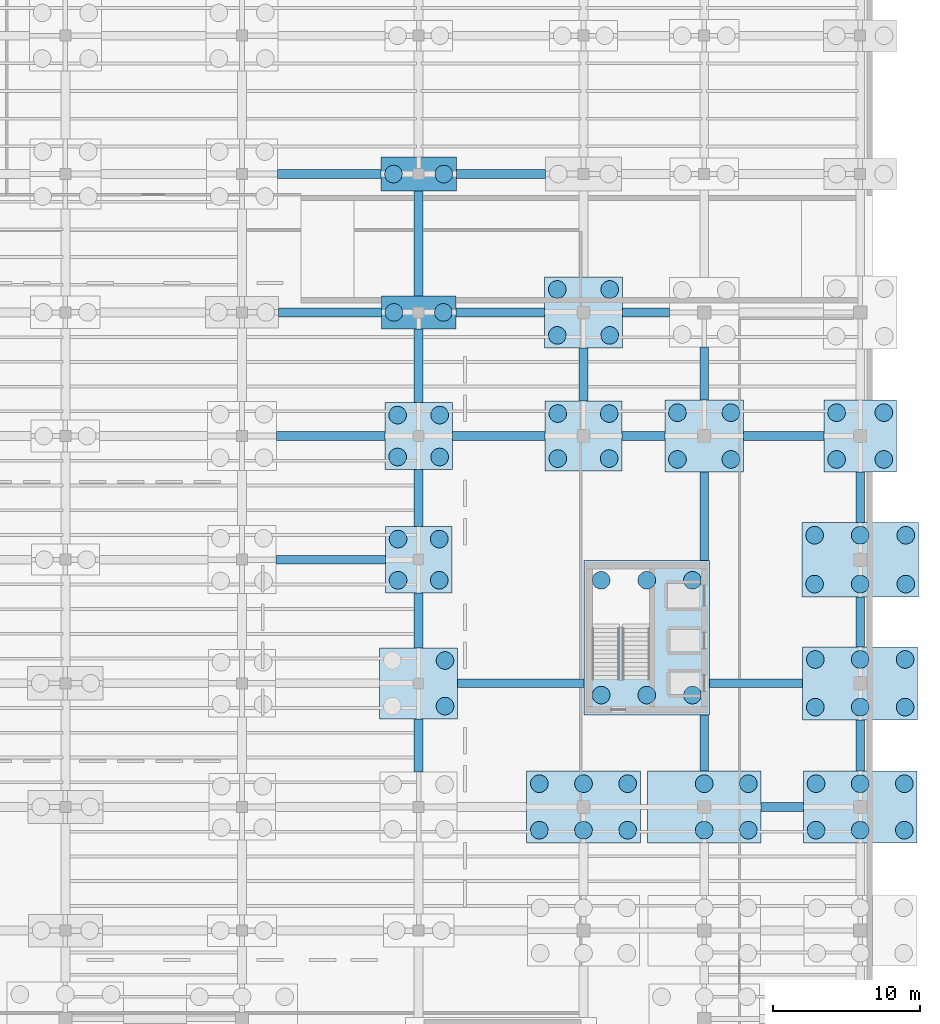
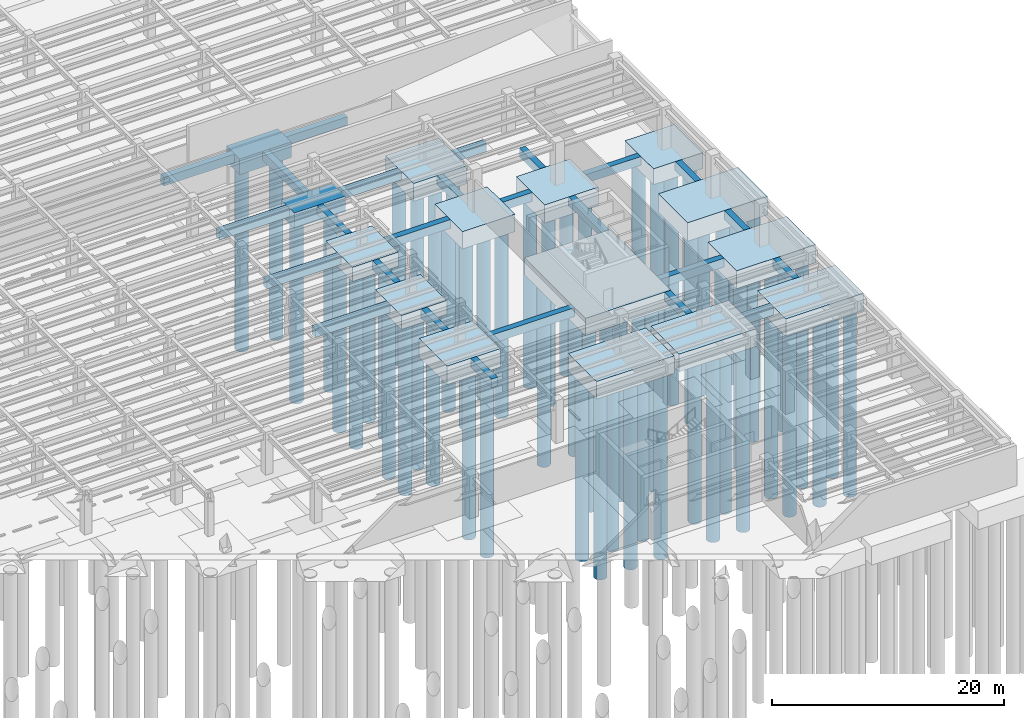
# One storey, part 15 of 49: 64 piles, 40 footings.
"""IFC4 building model written with IfcOpenShell, lengths in metres."""

from ifc_helpers import new_model, si_unit, direction, frame, origin, origin_2d, place, context, subcontext, project, spatial, rectangle, circle, extrude, material, material_profile, profile_set, type_object, element, save


model = new_model("IFC4")

# Units and contexts
model_context = context("Model", 3, precision=1e-05, world=origin(), true_north=direction((0.0, 1.0)))
body_context = subcontext(model_context, "Body", "Model", "MODEL_VIEW")
ifc_project = project(units=[si_unit("LENGTHUNIT", "METRE"), si_unit("AREAUNIT", "SQUARE_METRE"), si_unit("VOLUMEUNIT", "CUBIC_METRE"), si_unit("PLANEANGLEUNIT", "RADIAN"), si_unit("MASSUNIT", "GRAM", prefix="KILO")], contexts=[model_context])

# Site, building, storey
site_placement = place(None, origin())
site = spatial("IfcSite", under=ifc_project, at=site_placement, CompositionType="ELEMENT")
building_placement = place(site_placement, origin())
building = spatial("IfcBuilding", under=site, at=building_placement, Name="Sollismere Congress Hotel", CompositionType="ELEMENT")
storey_placement = place(building_placement, frame((0.0, 0.0, -4.5)))
storey = spatial("IfcBuildingStorey", under=building, at=storey_placement, Name="B1", CompositionType="ELEMENT", Elevation=-4.5)

# Footings
ifc_material = material(Name="Concrete C40/50", Category="concrete")
footing_type_1 = type_object("IfcFootingType", Name="FT-GB600", PredefinedType="FOOTING_BEAM", material=ifc_material)
footing_1_placement = place(storey_placement, frame((160.699951171875, 33.199951171875, -0.89990234375), z_axis=(0.0, 0.0, 1.0), x_axis=(1.0, 0.0, 0.0)))
element("IfcFooting", 1, at=footing_1_placement, inside=storey, type_object=footing_type_1, Name="FTG-GB-065", PredefinedType="FOOTING_BEAM", context=body_context, shape_type="SweptSolid", body=[
    extrude(rectangle(XDim=2.8798828125, YDim=0.60009765625, at=origin_2d()), origin(), (0.0, 0.0, 1.0), 0.89990234375),
])
footing_2_placement = place(storey_placement, frame((142.949951171875, 41.60009765625, -0.89990234375), z_axis=(0.0, 0.0, 1.0), x_axis=(1.0, 0.0, 0.0)))
element("IfcFooting", 2, at=footing_2_placement, inside=storey, type_object=footing_type_1, Name="FTG-GB-081", PredefinedType="FOOTING_BEAM", context=body_context, shape_type="SweptSolid", body=[
    extrude(rectangle(XDim=8.60009765625, YDim=0.60009765625, at=origin_2d()), origin(), (0.0, 0.0, 1.0), 0.89990234375),
])
footing_3_placement = place(storey_placement, frame((158.919921875, 41.60009765625, -0.89990234375), z_axis=(0.0, 0.0, 1.0), x_axis=(1.0, 0.0, 0.0)))
element("IfcFooting", 3, at=footing_3_placement, inside=storey, type_object=footing_type_1, Name="FTG-GB-082", PredefinedType="FOOTING_BEAM", context=body_context, shape_type="SweptSolid", body=[
    extrude(rectangle(XDim=6.340087890625, YDim=0.60009765625, at=origin_2d()), origin(), (0.0, 0.0, 1.0), 0.89990234375),
])
footing_4_placement = place(storey_placement, frame((130.030029296875, 50.0, -0.89990234375), z_axis=(0.0, 0.0, 1.0), x_axis=(1.0, 0.0, 0.0)))
element("IfcFooting", 4, at=footing_4_placement, inside=storey, type_object=footing_type_1, Name="FTG-GB-097", PredefinedType="FOOTING_BEAM", context=body_context, shape_type="SweptSolid", body=[
    extrude(rectangle(XDim=7.419921875, YDim=0.60009765625, at=origin_2d()), origin(), (0.0, 0.0, 1.0), 0.89990234375),
])
footing_5_placement = place(storey_placement, frame((130.030029296875, 58.39990234375, -0.89990234375), z_axis=(0.0, 0.0, 1.0), x_axis=(1.0, 0.0, 0.0)))
element("IfcFooting", 5, at=footing_5_placement, inside=storey, type_object=footing_type_1, Name="FTG-GB-111", PredefinedType="FOOTING_BEAM", context=body_context, shape_type="SweptSolid", body=[
    extrude(rectangle(XDim=7.360107421875, YDim=0.60009765625, at=origin_2d()), origin(), (0.0, 0.0, 1.0), 0.89990234375),
])
footing_6_placement = place(storey_placement, frame((141.4423828125, 58.39990234375, -0.89990234375), z_axis=(0.0, 0.0, 1.0), x_axis=(1.0, 0.0, 0.0)))
element("IfcFooting", 6, at=footing_6_placement, inside=storey, type_object=footing_type_1, Name="FTG-GB-112", PredefinedType="FOOTING_BEAM", context=body_context, shape_type="SweptSolid", body=[
    extrude(rectangle(XDim=6.304931640625, YDim=0.60009765625, at=origin_2d()), origin(), (0.0, 0.0, 1.0), 0.89990234375),
])
footing_7_placement = place(storey_placement, frame((151.264892578125, 58.39990234375, -0.89990234375), z_axis=(0.0, 0.0, 1.0), x_axis=(1.0, 0.0, 0.0)))
element("IfcFooting", 7, at=footing_7_placement, inside=storey, type_object=footing_type_1, Name="FTG-GB-113", PredefinedType="FOOTING_BEAM", context=body_context, shape_type="SweptSolid", body=[
    extrude(rectangle(XDim=2.919921875, YDim=0.60009765625, at=origin_2d()), origin(), (0.0, 0.0, 1.0), 0.89990234375),
])
footing_8_placement = place(storey_placement, frame((160.804931640625, 58.39990234375, -0.89990234375), z_axis=(0.0, 0.0, 1.0), x_axis=(1.0, 0.0, 0.0)))
element("IfcFooting", 8, at=footing_8_placement, inside=storey, type_object=footing_type_1, Name="FTG-GB-114", PredefinedType="FOOTING_BEAM", context=body_context, shape_type="SweptSolid", body=[
    extrude(rectangle(XDim=5.4599609375, YDim=0.60009765625, at=origin_2d()), origin(), (0.0, 0.0, 1.0), 0.89990234375),
])
footing_9_placement = place(storey_placement, frame((129.969970703125, 66.800048828125, -0.89990234375), z_axis=(0.0, 0.0, 1.0), x_axis=(1.0, 0.0, 0.0)))
element("IfcFooting", 9, at=footing_9_placement, inside=storey, type_object=footing_type_1, Name="FTG-GB-127", PredefinedType="FOOTING_BEAM", context=body_context, shape_type="SweptSolid", body=[
    extrude(rectangle(XDim=6.97998046875, YDim=0.60009765625, at=origin_2d()), origin(), (0.0, 0.0, 1.0), 0.89990234375),
])
footing_10_placement = place(storey_placement, frame((141.550048828125, 66.800048828125, -0.89990234375), z_axis=(0.0, 0.0, 1.0), x_axis=(1.0, 0.0, 0.0)))
element("IfcFooting", 10, at=footing_10_placement, inside=storey, type_object=footing_type_1, Name="FTG-GB-128", PredefinedType="FOOTING_BEAM", context=body_context, shape_type="SweptSolid", body=[
    extrude(rectangle(XDim=6.02001953125, YDim=0.60009765625, at=origin_2d()), origin(), (0.0, 0.0, 1.0), 0.89990234375),
])
footing_11_placement = place(storey_placement, frame((151.43994140625, 66.800048828125, -0.89990234375), z_axis=(0.0, 0.0, 1.0), x_axis=(1.0, 0.0, 0.0)))
element("IfcFooting", 11, at=footing_11_placement, inside=storey, type_object=footing_type_1, Name="FTG-GB-129", PredefinedType="FOOTING_BEAM", context=body_context, shape_type="SweptSolid", body=[
    extrude(rectangle(XDim=3.199951171875, YDim=0.60009765625, at=origin_2d()), origin(), (0.0, 0.0, 1.0), 0.89990234375),
])
footing_12_placement = place(storey_placement, frame((129.919921875, 76.199951171875, -0.89990234375), z_axis=(0.0, 0.0, 1.0), x_axis=(1.0, 0.0, 0.0)))
element("IfcFooting", 12, at=footing_12_placement, inside=storey, type_object=footing_type_1, Name="FTG-GB-144", PredefinedType="FOOTING_BEAM", context=body_context, shape_type="SweptSolid", body=[
    extrude(rectangle(XDim=7.02001953125, YDim=0.60009765625, at=origin_2d()), origin(), (0.0, 0.0, 1.0), 0.89990234375),
])
footing_13_placement = place(storey_placement, frame((141.60009765625, 76.199951171875, -0.89990234375), z_axis=(0.0, 0.0, 1.0), x_axis=(1.0, 0.0, 0.0)))
element("IfcFooting", 13, at=footing_13_placement, inside=storey, type_object=footing_type_1, Name="FTG-GB-145", PredefinedType="FOOTING_BEAM", context=body_context, shape_type="SweptSolid", body=[
    extrude(rectangle(XDim=6.06005859375, YDim=0.60009765625, at=origin_2d()), origin(), (0.0, 0.0, 1.0), 0.89990234375),
])
footing_14_placement = place(storey_placement, frame((136.0, 37.387451171875, -0.89990234375), z_axis=(0.0, 0.0, 1.0), x_axis=(0.0, 1.0, 0.0)))
element("IfcFooting", 14, at=footing_14_placement, inside=storey, type_object=footing_type_1, Name="FTG-GB-399", PredefinedType="FOOTING_BEAM", context=body_context, shape_type="SweptSolid", body=[
    extrude(rectangle(XDim=3.60498046875, YDim=0.60009765625, at=origin_2d()), origin(), (0.0, 0.0, 1.0), 0.89990234375),
])
footing_15_placement = place(storey_placement, frame((136.0, 45.875, -0.89990234375), z_axis=(0.0, 0.0, 1.0), x_axis=(0.0, 1.0, 0.0)))
element("IfcFooting", 15, at=footing_15_placement, inside=storey, type_object=footing_type_1, Name="FTG-GB-400", PredefinedType="FOOTING_BEAM", context=body_context, shape_type="SweptSolid", body=[
    extrude(rectangle(XDim=3.72998046875, YDim=0.60009765625, at=origin_2d()), origin(), (0.0, 0.0, 1.0), 0.89990234375),
])
footing_16_placement = place(storey_placement, frame((136.0, 54.1875, -0.89990234375), z_axis=(0.0, 0.0, 1.0), x_axis=(0.0, 1.0, 0.0)))
element("IfcFooting", 16, at=footing_16_placement, inside=storey, type_object=footing_type_1, Name="FTG-GB-401", PredefinedType="FOOTING_BEAM", context=body_context, shape_type="SweptSolid", body=[
    extrude(rectangle(XDim=3.85498046875, YDim=0.60009765625, at=origin_2d()), origin(), (0.0, 0.0, 1.0), 0.89990234375),
])
footing_17_placement = place(storey_placement, frame((136.0, 63.179931640625, -0.89990234375), z_axis=(0.0, 0.0, 1.0), x_axis=(0.0, 1.0, 0.0)))
element("IfcFooting", 17, at=footing_17_placement, inside=storey, type_object=footing_type_1, Name="FTG-GB-402", PredefinedType="FOOTING_BEAM", context=body_context, shape_type="SweptSolid", body=[
    extrude(rectangle(XDim=4.989990234375, YDim=0.60009765625, at=origin_2d()), origin(), (0.0, 0.0, 1.0), 0.89990234375),
])
footing_18_placement = place(storey_placement, frame((136.0, 71.487548828125, -0.89990234375), z_axis=(0.0, 0.0, 1.0), x_axis=(0.0, 1.0, 0.0)))
element("IfcFooting", 18, at=footing_18_placement, inside=storey, type_object=footing_type_1, Name="FTG-GB-403", PredefinedType="FOOTING_BEAM", context=body_context, shape_type="SweptSolid", body=[
    extrude(rectangle(XDim=7.125, YDim=0.60009765625, at=origin_2d()), origin(), (0.0, 0.0, 1.0), 0.89990234375),
])
footing_19_placement = place(storey_placement, frame((147.199951171875, 62.5849609375, -0.89990234375), z_axis=(0.0, 0.0, 1.0), x_axis=(0.0, 1.0, 0.0)))
element("IfcFooting", 19, at=footing_19_placement, inside=storey, type_object=footing_type_1, Name="FTG-GB-411", PredefinedType="FOOTING_BEAM", context=body_context, shape_type="SweptSolid", body=[
    extrude(rectangle(XDim=3.590087890625, YDim=0.60009765625, at=origin_2d()), origin(), (0.0, 0.0, 1.0), 0.89990234375),
])
footing_20_placement = place(storey_placement, frame((155.39990234375, 37.544921875, -0.89990234375), z_axis=(0.0, 0.0, 1.0), x_axis=(0.0, 1.0, 0.0)))
element("IfcFooting", 20, at=footing_20_placement, inside=storey, type_object=footing_type_1, Name="FTG-GB-421", PredefinedType="FOOTING_BEAM", context=body_context, shape_type="SweptSolid", body=[
    extrude(rectangle(XDim=3.81005859375, YDim=0.60009765625, at=origin_2d()), origin(), (0.0, 0.0, 1.0), 0.89990234375),
])
footing_21_placement = place(storey_placement, frame((155.39990234375, 52.949951171875, -0.89990234375), z_axis=(0.0, 0.0, 1.0), x_axis=(0.0, 1.0, 0.0)))
element("IfcFooting", 21, at=footing_21_placement, inside=storey, type_object=footing_type_1, Name="FTG-GB-422", PredefinedType="FOOTING_BEAM", context=body_context, shape_type="SweptSolid", body=[
    extrude(rectangle(XDim=6.0, YDim=0.60009765625, at=origin_2d()), origin(), (0.0, 0.0, 1.0), 0.89990234375),
])
footing_22_placement = place(storey_placement, frame((155.39990234375, 62.64501953125, -0.89990234375), z_axis=(0.0, 0.0, 1.0), x_axis=(0.0, 1.0, 0.0)))
element("IfcFooting", 22, at=footing_22_placement, inside=storey, type_object=footing_type_1, Name="FTG-GB-423", PredefinedType="FOOTING_BEAM", context=body_context, shape_type="SweptSolid", body=[
    extrude(rectangle(XDim=3.590087890625, YDim=0.60009765625, at=origin_2d()), origin(), (0.0, 0.0, 1.0), 0.89990234375),
])
footing_23_placement = place(storey_placement, frame((166.0, 37.3798828125, -0.89990234375), z_axis=(0.0, 0.0, 1.0), x_axis=(0.0, 1.0, 0.0)))
element("IfcFooting", 23, at=footing_23_placement, inside=storey, type_object=footing_type_1, Name="FTG-GB-433", PredefinedType="FOOTING_BEAM", context=body_context, shape_type="SweptSolid", body=[
    extrude(rectangle(XDim=3.47998046875, YDim=0.60009765625, at=origin_2d()), origin(), (0.0, 0.0, 1.0), 0.89990234375),
])
footing_24_placement = place(storey_placement, frame((166.0, 45.780029296875, -0.89990234375), z_axis=(0.0, 0.0, 1.0), x_axis=(0.0, 1.0, 0.0)))
element("IfcFooting", 24, at=footing_24_placement, inside=storey, type_object=footing_type_1, Name="FTG-GB-434", PredefinedType="FOOTING_BEAM", context=body_context, shape_type="SweptSolid", body=[
    extrude(rectangle(XDim=3.39990234375, YDim=0.60009765625, at=origin_2d()), origin(), (0.0, 0.0, 1.0), 0.89990234375),
])
footing_25_placement = place(storey_placement, frame((166.0, 54.235107421875, -0.89990234375), z_axis=(0.0, 0.0, 1.0), x_axis=(0.0, 1.0, 0.0)))
element("IfcFooting", 25, at=footing_25_placement, inside=storey, type_object=footing_type_1, Name="FTG-GB-435", PredefinedType="FOOTING_BEAM", context=body_context, shape_type="SweptSolid", body=[
    extrude(rectangle(XDim=3.429931640625, YDim=0.60009765625, at=origin_2d()), origin(), (0.0, 0.0, 1.0), 0.89990234375),
])
footing_type_2 = type_object("IfcFootingType", Name="FT-MAT-K3", PredefinedType="PILE_CAP", material=ifc_material)
footing_26_placement = place(storey_placement, frame((151.5, 44.699951171875, -1.7998046875), z_axis=(0.0, 0.0, 1.0), x_axis=(1.0, 0.0, 0.0)))
element("IfcFooting", 26, at=footing_26_placement, inside=storey, type_object=footing_type_2, Name="Core pile cap mat PCM-K3", PredefinedType="PILE_CAP", context=body_context, shape_type="SweptSolid", body=[
    extrude(rectangle(XDim=8.5, YDim=10.5, at=origin_2d()), origin(), (0.0, 0.0, 1.0), 1.800048828125),
])
footing_type_3 = type_object("IfcFootingType", Name="FT-PC2-09", PredefinedType="PILE_CAP", material=ifc_material)
footing_27_placement = place(storey_placement, frame((136.0, 66.800048828125, -1.6201171875), z_axis=(0.0, 0.0, 1.0), x_axis=(1.0, 0.0, 0.0)))
element("IfcFooting", 27, at=footing_27_placement, inside=storey, type_object=footing_type_3, Name="Reinforced concrete pile cap PC-199", PredefinedType="PILE_CAP", context=body_context, shape_type="SweptSolid", body=[
    extrude(rectangle(XDim=5.080078125, YDim=2.25, at=origin_2d()), origin(), (0.0, 0.0, 1.0), 1.6201171875),
])
footing_type_4 = type_object("IfcFootingType", Name="FT-PC2-10", PredefinedType="PILE_CAP", material=ifc_material)
footing_28_placement = place(storey_placement, frame((136.0, 76.199951171875, -1.66015625), z_axis=(0.0, 0.0, 1.0), x_axis=(1.0, 0.0, 0.0)))
element("IfcFooting", 28, at=footing_28_placement, inside=storey, type_object=footing_type_4, Name="Reinforced concrete pile cap PC-200", PredefinedType="PILE_CAP", context=body_context, shape_type="SweptSolid", body=[
    extrude(rectangle(XDim=5.139892578125, YDim=2.300048828125, at=origin_2d()), origin(), (0.0, 0.0, 1.0), 1.659912109375),
])
footing_type_5 = type_object("IfcFootingType", Name="FT-PC4-01", PredefinedType="PILE_CAP", material=ifc_material)
footing_29_placement = place(storey_placement, frame((136.0, 50.0, -1.4501953125), z_axis=(0.0, 0.0, 1.0), x_axis=(1.0, 0.0, 0.0)))
element("IfcFooting", 29, at=footing_29_placement, inside=storey, type_object=footing_type_5, Name="Reinforced concrete pile cap PC-197", PredefinedType="PILE_CAP", context=body_context, shape_type="SweptSolid", body=[
    extrude(rectangle(XDim=4.52001953125, YDim=4.52001953125, at=origin_2d()), origin(), (0.0, 0.0, 1.0), 1.449951171875),
])
footing_type_6 = type_object("IfcFootingType", Name="FT-PC4-02", PredefinedType="PILE_CAP", material=ifc_material)
footing_30_placement = place(storey_placement, frame((136.0, 58.39990234375, -1.490234375), z_axis=(0.0, 0.0, 1.0), x_axis=(1.0, 0.0, 0.0)))
element("IfcFooting", 30, at=footing_30_placement, inside=storey, type_object=footing_type_6, Name="Reinforced concrete pile cap PC-198", PredefinedType="PILE_CAP", context=body_context, shape_type="SweptSolid", body=[
    extrude(rectangle(XDim=4.580078125, YDim=4.570068359375, at=origin_2d()), origin(), (0.0, 0.0, 1.0), 1.489990234375),
])
footing_type_7 = type_object("IfcFootingType", Name="FT-PC4-14", PredefinedType="PILE_CAP", material=ifc_material)
footing_31_placement = place(storey_placement, frame((136.0, 41.60009765625, -1.97021484375), z_axis=(0.0, 0.0, 1.0), x_axis=(1.0, 0.0, 0.0)))
element("IfcFooting", 31, at=footing_31_placement, inside=storey, type_object=footing_type_7, Name="Reinforced concrete pile cap PC-196", PredefinedType="PILE_CAP", context=body_context, shape_type="SweptSolid", body=[
    extrude(rectangle(XDim=5.300048828125, YDim=4.820068359375, at=origin_2d()), origin(), (0.0, 0.0, 1.0), 1.969970703125),
])
footing_type_8 = type_object("IfcFootingType", Name="FT-PC4H-04", PredefinedType="PILE_CAP", material=ifc_material)
footing_32_placement = place(storey_placement, frame((166.0, 58.39990234375, -1.669921875), z_axis=(0.0, 0.0, 1.0), x_axis=(1.0, 0.0, 0.0)))
element("IfcFooting", 32, at=footing_32_placement, inside=storey, type_object=footing_type_8, Name="Reinforced concrete pile cap PC-234", PredefinedType="PILE_CAP", context=body_context, shape_type="SweptSolid", body=[
    extrude(rectangle(XDim=4.929931640625, YDim=4.89990234375, at=origin_2d()), origin(), (0.0, 0.0, 1.0), 1.669921875),
])
footing_type_9 = type_object("IfcFootingType", Name="FT-PC4H-08", PredefinedType="PILE_CAP", material=ifc_material)
footing_33_placement = place(storey_placement, frame((147.199951171875, 58.39990234375, -1.830078125), z_axis=(0.0, 0.0, 1.0), x_axis=(1.0, 0.0, 0.0)))
element("IfcFooting", 33, at=footing_33_placement, inside=storey, type_object=footing_type_9, Name="Reinforced concrete pile cap PC-208", PredefinedType="PILE_CAP", context=body_context, shape_type="SweptSolid", body=[
    extrude(rectangle(XDim=5.2099609375, YDim=4.780029296875, at=origin_2d()), origin(), (0.0, 0.0, 1.0), 1.830078125),
])
footing_type_10 = type_object("IfcFootingType", Name="FT-PC4H-09", PredefinedType="PILE_CAP", material=ifc_material)
footing_34_placement = place(storey_placement, frame((147.199951171875, 66.800048828125, -1.8701171875), z_axis=(0.0, 0.0, 1.0), x_axis=(1.0, 0.0, 0.0)))
element("IfcFooting", 34, at=footing_34_placement, inside=storey, type_object=footing_type_10, Name="Reinforced concrete pile cap PC-209", PredefinedType="PILE_CAP", context=body_context, shape_type="SweptSolid", body=[
    extrude(rectangle(XDim=5.280029296875, YDim=4.840087890625, at=origin_2d()), origin(), (0.0, 0.0, 1.0), 1.8701171875),
])
footing_type_11 = type_object("IfcFootingType", Name="FT-PC4H-10", PredefinedType="PILE_CAP", material=ifc_material)
footing_35_placement = place(storey_placement, frame((155.39990234375, 58.39990234375, -1.91015625), z_axis=(0.0, 0.0, 1.0), x_axis=(1.0, 0.0, 0.0)))
element("IfcFooting", 35, at=footing_35_placement, inside=storey, type_object=footing_type_11, Name="Reinforced concrete pile cap PC-220", PredefinedType="PILE_CAP", context=body_context, shape_type="SweptSolid", body=[
    extrude(rectangle(XDim=5.35009765625, YDim=4.89990234375, at=origin_2d()), origin(), (0.0, 0.0, 1.0), 1.909912109375),
])
footing_type_12 = type_object("IfcFootingType", Name="FT-PC6-03", PredefinedType="PILE_CAP", material=ifc_material)
for number, where, z_axis, x_axis, name in (
    (36, (147.199951171875, 33.199951171875, -1.85009765625), (0.0, 0.0, 1.0), (1.0, 0.0, 0.0), "Reinforced concrete pile cap PC-207"),
    (37, (155.39990234375, 33.199951171875, -1.85009765625), (0.0, 0.0, 1.0), (1.0, 0.0, 0.0), "Reinforced concrete pile cap PC-219"),
    (38, (166.0, 33.199951171875, -1.85009765625), (0.0, 0.0, 1.0), (1.0, 0.0, 0.0), "Reinforced concrete pile cap PC-231"),
):
    element("IfcFooting", number, at=place(storey_placement, frame(where, z_axis=z_axis, x_axis=x_axis)), inside=storey, type_object=footing_type_12, Name=name, PredefinedType="PILE_CAP", context=body_context, shape_type="SweptSolid", body=[
        extrude(rectangle(XDim=7.719970703125, YDim=4.8798828125, at=origin_2d()), origin(), (0.0, 0.0, 1.0), 1.85009765625),
    ])
footing_type_13 = type_object("IfcFootingType", Name="FT-PC6-04", PredefinedType="PILE_CAP", material=ifc_material)
footing_36_placement = place(storey_placement, frame((166.0, 41.60009765625, -1.89990234375), z_axis=(0.0, 0.0, 1.0), x_axis=(1.0, 0.0, 0.0)))
element("IfcFooting", 39, at=footing_36_placement, inside=storey, type_object=footing_type_13, Name="Reinforced concrete pile cap PC-232", PredefinedType="PILE_CAP", context=body_context, shape_type="SweptSolid", body=[
    extrude(rectangle(XDim=7.820068359375, YDim=4.9599609375, at=origin_2d()), origin(), (0.0, 0.0, 1.0), 1.89990234375),
])
footing_type_14 = type_object("IfcFootingType", Name="FT-PC6-05", PredefinedType="PILE_CAP", material=ifc_material)
footing_37_placement = place(storey_placement, frame((166.0, 50.0, -1.9501953125), z_axis=(0.0, 0.0, 1.0), x_axis=(1.0, 0.0, 0.0)))
element("IfcFooting", 40, at=footing_37_placement, inside=storey, type_object=footing_type_14, Name="Reinforced concrete pile cap PC-233", PredefinedType="PILE_CAP", context=body_context, shape_type="SweptSolid", body=[
    extrude(rectangle(XDim=7.919921875, YDim=5.0400390625, at=origin_2d()), origin(), (0.0, 0.0, 1.0), 1.949951171875),
])

# Piles
ifc_material_profile = material_profile(ifc_material, circle(Radius=0.60009765625, at=origin_2d()), Name="CAISSON1200")
ifc_profile_set = profile_set([ifc_material_profile], Name="Concrete C40/50")
pile_type = type_object("IfcPileType", Name="PL-CS1200", PredefinedType="BORED", material=ifc_profile_set)
for number, where, z_axis, x_axis, name in (
    (41, (137.7900390625, 40.050048828125, -1.8701171875), (0.0, 0.0, -1.0), (1.0, 0.0, 0.0), "Bored rock-socketed caisson PL-634"),
    (42, (137.7900390625, 43.14990234375, -1.8701171875), (0.0, 0.0, -1.0), (1.0, 0.0, 0.0), "Bored rock-socketed caisson PL-636"),
):
    element("IfcPile", number, at=place(storey_placement, frame(where, z_axis=z_axis, x_axis=x_axis)), inside=storey, type_object=pile_type, Name=name, PredefinedType="BORED", context=body_context, shape_type="SweptSolid", body=[
        extrude(circle(Radius=0.60009765625, at=origin_2d()), origin(), (0.0, 0.0, 1.0), 19.949951171875),
    ])
for number, where, z_axis, x_axis, name in (
    (43, (134.60009765625, 48.60009765625, -1.35009765625), (0.0, 0.0, -1.0), (1.0, 0.0, 0.0), "Bored rock-socketed caisson PL-637"),
    (44, (137.39990234375, 48.60009765625, -1.35009765625), (0.0, 0.0, -1.0), (1.0, 0.0, 0.0), "Bored rock-socketed caisson PL-638"),
    (45, (134.60009765625, 51.39990234375, -1.35009765625), (0.0, 0.0, -1.0), (1.0, 0.0, 0.0), "Bored rock-socketed caisson PL-639"),
    (46, (137.39990234375, 51.39990234375, -1.35009765625), (0.0, 0.0, -1.0), (1.0, 0.0, 0.0), "Bored rock-socketed caisson PL-640"),
):
    element("IfcPile", number, at=place(storey_placement, frame(where, z_axis=z_axis, x_axis=x_axis)), inside=storey, type_object=pile_type, Name=name, PredefinedType="BORED", context=body_context, shape_type="SweptSolid", body=[
        extrude(circle(Radius=0.60009765625, at=origin_2d()), origin(), (0.0, 0.0, 1.0), 18.0),
    ])
for number, where, z_axis, x_axis, name in (
    (47, (134.570068359375, 56.97509765625, -1.389892578125), (0.0, 0.0, -1.0), (1.0, 0.0, 0.0), "Bored rock-socketed caisson PL-641"),
    (48, (137.429931640625, 56.97509765625, -1.389892578125), (0.0, 0.0, -1.0), (1.0, 0.0, 0.0), "Bored rock-socketed caisson PL-642"),
    (49, (134.570068359375, 59.824951171875, -1.389892578125), (0.0, 0.0, -1.0), (1.0, 0.0, 0.0), "Bored rock-socketed caisson PL-643"),
    (50, (137.429931640625, 59.824951171875, -1.389892578125), (0.0, 0.0, -1.0), (1.0, 0.0, 0.0), "Bored rock-socketed caisson PL-644"),
):
    element("IfcPile", number, at=place(storey_placement, frame(where, z_axis=z_axis, x_axis=x_axis)), inside=storey, type_object=pile_type, Name=name, PredefinedType="BORED", context=body_context, shape_type="SweptSolid", body=[
        extrude(circle(Radius=0.60009765625, at=origin_2d()), origin(), (0.0, 0.0, 1.0), 18.14990234375),
    ])
for number, where, z_axis, x_axis, name in (
    (51, (134.320068359375, 66.800048828125, -1.52001953125), (0.0, 0.0, -1.0), (1.0, 0.0, 0.0), "Bored rock-socketed caisson PL-645"),
    (52, (137.679931640625, 66.800048828125, -1.52001953125), (0.0, 0.0, -1.0), (1.0, 0.0, 0.0), "Bored rock-socketed caisson PL-646"),
):
    element("IfcPile", number, at=place(storey_placement, frame(where, z_axis=z_axis, x_axis=x_axis)), inside=storey, type_object=pile_type, Name=name, PredefinedType="BORED", context=body_context, shape_type="SweptSolid", body=[
        extrude(circle(Radius=0.60009765625, at=origin_2d()), origin(), (0.0, 0.0, 1.0), 19.10009765625),
    ])
for number, where, z_axis, x_axis, name in (
    (53, (134.2900390625, 76.199951171875, -1.56005859375), (0.0, 0.0, -1.0), (1.0, 0.0, 0.0), "Bored rock-socketed caisson PL-647"),
    (54, (137.7099609375, 76.199951171875, -1.56005859375), (0.0, 0.0, -1.0), (1.0, 0.0, 0.0), "Bored rock-socketed caisson PL-648"),
):
    element("IfcPile", number, at=place(storey_placement, frame(where, z_axis=z_axis, x_axis=x_axis)), inside=storey, type_object=pile_type, Name=name, PredefinedType="BORED", context=body_context, shape_type="SweptSolid", body=[
        extrude(circle(Radius=0.60009765625, at=origin_2d()), origin(), (0.0, 0.0, 1.0), 19.300048828125),
    ])
for number, where, z_axis, x_axis, name in (
    (55, (144.199951171875, 31.6201171875, -1.75), (0.0, 0.0, -1.0), (1.0, 0.0, 0.0), "Bored rock-socketed caisson PL-669"),
    (56, (147.199951171875, 31.6201171875, -1.75), (0.0, 0.0, -1.0), (1.0, 0.0, 0.0), "Bored rock-socketed caisson PL-670"),
    (57, (150.199951171875, 31.6201171875, -1.75), (0.0, 0.0, -1.0), (1.0, 0.0, 0.0), "Bored rock-socketed caisson PL-671"),
    (58, (144.199951171875, 34.780029296875, -1.75), (0.0, 0.0, -1.0), (1.0, 0.0, 0.0), "Bored rock-socketed caisson PL-672"),
    (59, (147.199951171875, 34.780029296875, -1.75), (0.0, 0.0, -1.0), (1.0, 0.0, 0.0), "Bored rock-socketed caisson PL-673"),
    (60, (150.199951171875, 34.780029296875, -1.75), (0.0, 0.0, -1.0), (1.0, 0.0, 0.0), "Bored rock-socketed caisson PL-674"),
):
    element("IfcPile", number, at=place(storey_placement, frame(where, z_axis=z_axis, x_axis=x_axis)), inside=storey, type_object=pile_type, Name=name, PredefinedType="BORED", context=body_context, shape_type="SweptSolid", body=[
        extrude(circle(Radius=0.60009765625, at=origin_2d()), origin(), (0.0, 0.0, 1.0), 19.5),
    ])
for number, where, z_axis, x_axis, name in (
    (61, (145.455078125, 56.8701171875, -1.72998046875), (0.0, 0.0, -1.0), (1.0, 0.0, 0.0), "Bored rock-socketed caisson PL-675"),
    (62, (148.945068359375, 56.8701171875, -1.72998046875), (0.0, 0.0, -1.0), (1.0, 0.0, 0.0), "Bored rock-socketed caisson PL-676"),
    (63, (145.455078125, 59.929931640625, -1.72998046875), (0.0, 0.0, -1.0), (1.0, 0.0, 0.0), "Bored rock-socketed caisson PL-677"),
    (64, (148.945068359375, 59.929931640625, -1.72998046875), (0.0, 0.0, -1.0), (1.0, 0.0, 0.0), "Bored rock-socketed caisson PL-678"),
):
    element("IfcPile", number, at=place(storey_placement, frame(where, z_axis=z_axis, x_axis=x_axis)), inside=storey, type_object=pile_type, Name=name, PredefinedType="BORED", context=body_context, shape_type="SweptSolid", body=[
        extrude(circle(Radius=0.60009765625, at=origin_2d()), origin(), (0.0, 0.0, 1.0), 19.550048828125),
    ])
for number, where, z_axis, x_axis, name in (
    (65, (145.419921875, 65.239990234375, -1.77001953125), (0.0, 0.0, -1.0), (1.0, 0.0, 0.0), "Bored rock-socketed caisson PL-679"),
    (66, (148.97998046875, 65.239990234375, -1.77001953125), (0.0, 0.0, -1.0), (1.0, 0.0, 0.0), "Bored rock-socketed caisson PL-680"),
    (67, (145.419921875, 68.360107421875, -1.77001953125), (0.0, 0.0, -1.0), (1.0, 0.0, 0.0), "Bored rock-socketed caisson PL-681"),
    (68, (148.97998046875, 68.360107421875, -1.77001953125), (0.0, 0.0, -1.0), (1.0, 0.0, 0.0), "Bored rock-socketed caisson PL-682"),
):
    element("IfcPile", number, at=place(storey_placement, frame(where, z_axis=z_axis, x_axis=x_axis)), inside=storey, type_object=pile_type, Name=name, PredefinedType="BORED", context=body_context, shape_type="SweptSolid", body=[
        extrude(circle(Radius=0.60009765625, at=origin_2d()), origin(), (0.0, 0.0, 1.0), 19.699951171875),
    ])
for number, where, z_axis, x_axis, name in (
    (69, (155.39990234375, 31.6201171875, -1.75), (0.0, 0.0, -1.0), (1.0, 0.0, 0.0), "Bored rock-socketed caisson PL-713"),
    (70, (158.39990234375, 31.6201171875, -1.75), (0.0, 0.0, -1.0), (1.0, 0.0, 0.0), "Bored rock-socketed caisson PL-714"),
    (71, (155.39990234375, 34.780029296875, -1.75), (0.0, 0.0, -1.0), (1.0, 0.0, 0.0), "Bored rock-socketed caisson PL-715"),
    (72, (158.39990234375, 34.780029296875, -1.75), (0.0, 0.0, -1.0), (1.0, 0.0, 0.0), "Bored rock-socketed caisson PL-716"),
):
    element("IfcPile", number, at=place(storey_placement, frame(where, z_axis=z_axis, x_axis=x_axis)), inside=storey, type_object=pile_type, Name=name, PredefinedType="BORED", context=body_context, shape_type="SweptSolid", body=[
        extrude(circle(Radius=0.60009765625, at=origin_2d()), origin(), (0.0, 0.0, 1.0), 19.5),
    ])
for number, where, z_axis, x_axis, name in (
    (73, (153.5849609375, 56.81005859375, -1.81005859375), (0.0, 0.0, -1.0), (1.0, 0.0, 0.0), "Bored rock-socketed caisson PL-717"),
    (74, (157.215087890625, 56.81005859375, -1.81005859375), (0.0, 0.0, -1.0), (1.0, 0.0, 0.0), "Bored rock-socketed caisson PL-718"),
    (75, (153.5849609375, 59.989990234375, -1.81005859375), (0.0, 0.0, -1.0), (1.0, 0.0, 0.0), "Bored rock-socketed caisson PL-719"),
    (76, (157.215087890625, 59.989990234375, -1.81005859375), (0.0, 0.0, -1.0), (1.0, 0.0, 0.0), "Bored rock-socketed caisson PL-720"),
):
    element("IfcPile", number, at=place(storey_placement, frame(where, z_axis=z_axis, x_axis=x_axis)), inside=storey, type_object=pile_type, Name=name, PredefinedType="BORED", context=body_context, shape_type="SweptSolid", body=[
        extrude(circle(Radius=0.60009765625, at=origin_2d()), origin(), (0.0, 0.0, 1.0), 19.85009765625),
    ])
for number, where, z_axis, x_axis, name in (
    (77, (163.0, 31.6201171875, -1.75), (0.0, 0.0, -1.0), (1.0, 0.0, 0.0), "Bored rock-socketed caisson PL-759"),
    (78, (166.0, 31.6201171875, -1.75), (0.0, 0.0, -1.0), (1.0, 0.0, 0.0), "Bored rock-socketed caisson PL-760"),
    (79, (169.0, 31.6201171875, -1.75), (0.0, 0.0, -1.0), (1.0, 0.0, 0.0), "Bored rock-socketed caisson PL-761"),
    (80, (163.0, 34.780029296875, -1.75), (0.0, 0.0, -1.0), (1.0, 0.0, 0.0), "Bored rock-socketed caisson PL-762"),
    (81, (166.0, 34.780029296875, -1.75), (0.0, 0.0, -1.0), (1.0, 0.0, 0.0), "Bored rock-socketed caisson PL-763"),
    (82, (169.0, 34.780029296875, -1.75), (0.0, 0.0, -1.0), (1.0, 0.0, 0.0), "Bored rock-socketed caisson PL-764"),
):
    element("IfcPile", number, at=place(storey_placement, frame(where, z_axis=z_axis, x_axis=x_axis)), inside=storey, type_object=pile_type, Name=name, PredefinedType="BORED", context=body_context, shape_type="SweptSolid", body=[
        extrude(circle(Radius=0.60009765625, at=origin_2d()), origin(), (0.0, 0.0, 1.0), 19.5),
    ])
for number, where, z_axis, x_axis, name in (
    (83, (162.949951171875, 39.97998046875, -1.800048828125), (0.0, 0.0, -1.0), (1.0, 0.0, 0.0), "Bored rock-socketed caisson PL-765"),
    (84, (166.0, 39.97998046875, -1.800048828125), (0.0, 0.0, -1.0), (1.0, 0.0, 0.0), "Bored rock-socketed caisson PL-766"),
    (85, (169.050048828125, 39.97998046875, -1.800048828125), (0.0, 0.0, -1.0), (1.0, 0.0, 0.0), "Bored rock-socketed caisson PL-767"),
    (86, (162.949951171875, 43.219970703125, -1.800048828125), (0.0, 0.0, -1.0), (1.0, 0.0, 0.0), "Bored rock-socketed caisson PL-768"),
    (87, (166.0, 43.219970703125, -1.800048828125), (0.0, 0.0, -1.0), (1.0, 0.0, 0.0), "Bored rock-socketed caisson PL-769"),
    (88, (169.050048828125, 43.219970703125, -1.800048828125), (0.0, 0.0, -1.0), (1.0, 0.0, 0.0), "Bored rock-socketed caisson PL-770"),
):
    element("IfcPile", number, at=place(storey_placement, frame(where, z_axis=z_axis, x_axis=x_axis)), inside=storey, type_object=pile_type, Name=name, PredefinedType="BORED", context=body_context, shape_type="SweptSolid", body=[
        extrude(circle(Radius=0.60009765625, at=origin_2d()), origin(), (0.0, 0.0, 1.0), 19.64990234375),
    ])
for number, where, z_axis, x_axis, name in (
    (89, (162.89990234375, 48.340087890625, -1.85009765625), (0.0, 0.0, -1.0), (1.0, 0.0, 0.0), "Bored rock-socketed caisson PL-771"),
    (90, (166.0, 48.340087890625, -1.85009765625), (0.0, 0.0, -1.0), (1.0, 0.0, 0.0), "Bored rock-socketed caisson PL-772"),
    (91, (169.10009765625, 48.340087890625, -1.85009765625), (0.0, 0.0, -1.0), (1.0, 0.0, 0.0), "Bored rock-socketed caisson PL-773"),
    (92, (162.89990234375, 51.659912109375, -1.85009765625), (0.0, 0.0, -1.0), (1.0, 0.0, 0.0), "Bored rock-socketed caisson PL-774"),
    (93, (166.0, 51.659912109375, -1.85009765625), (0.0, 0.0, -1.0), (1.0, 0.0, 0.0), "Bored rock-socketed caisson PL-775"),
    (94, (169.10009765625, 51.659912109375, -1.85009765625), (0.0, 0.0, -1.0), (1.0, 0.0, 0.0), "Bored rock-socketed caisson PL-776"),
):
    element("IfcPile", number, at=place(storey_placement, frame(where, z_axis=z_axis, x_axis=x_axis)), inside=storey, type_object=pile_type, Name=name, PredefinedType="BORED", context=body_context, shape_type="SweptSolid", body=[
        extrude(circle(Radius=0.60009765625, at=origin_2d()), origin(), (0.0, 0.0, 1.0), 19.800048828125),
    ])
for number, where, z_axis, x_axis, name in (
    (95, (164.39501953125, 56.81005859375, -1.570068359375), (0.0, 0.0, -1.0), (1.0, 0.0, 0.0), "Bored rock-socketed caisson PL-777"),
    (96, (167.60498046875, 56.81005859375, -1.570068359375), (0.0, 0.0, -1.0), (1.0, 0.0, 0.0), "Bored rock-socketed caisson PL-778"),
    (97, (164.39501953125, 59.989990234375, -1.570068359375), (0.0, 0.0, -1.0), (1.0, 0.0, 0.0), "Bored rock-socketed caisson PL-779"),
    (98, (167.60498046875, 59.989990234375, -1.570068359375), (0.0, 0.0, -1.0), (1.0, 0.0, 0.0), "Bored rock-socketed caisson PL-780"),
):
    element("IfcPile", number, at=place(storey_placement, frame(where, z_axis=z_axis, x_axis=x_axis)), inside=storey, type_object=pile_type, Name=name, PredefinedType="BORED", context=body_context, shape_type="SweptSolid", body=[
        extrude(circle(Radius=0.60009765625, at=origin_2d()), origin(), (0.0, 0.0, 1.0), 18.949951171875),
    ])
for number, where, z_axis, x_axis, name in (
    (99, (148.39990234375, 40.800048828125, -1.699951171875), (0.0, 0.0, -1.0), (1.0, 0.0, 0.0), "Bored rock-socketed caisson PL-825"),
    (100, (148.39990234375, 48.60009765625, -1.699951171875), (0.0, 0.0, -1.0), (1.0, 0.0, 0.0), "Bored rock-socketed caisson PL-826"),
    (101, (151.5, 40.800048828125, -1.699951171875), (0.0, 0.0, -1.0), (1.0, 0.0, 0.0), "Bored rock-socketed caisson PL-827"),
    (102, (151.5, 48.60009765625, -1.699951171875), (0.0, 0.0, -1.0), (1.0, 0.0, 0.0), "Bored rock-socketed caisson PL-828"),
    (103, (154.60009765625, 40.800048828125, -1.699951171875), (0.0, 0.0, -1.0), (1.0, 0.0, 0.0), "Bored rock-socketed caisson PL-829"),
    (104, (154.60009765625, 48.60009765625, -1.699951171875), (0.0, 0.0, -1.0), (1.0, 0.0, 0.0), "Bored rock-socketed caisson PL-830"),
):
    element("IfcPile", number, at=place(storey_placement, frame(where, z_axis=z_axis, x_axis=x_axis)), inside=storey, type_object=pile_type, Name=name, PredefinedType="BORED", context=body_context, shape_type="SweptSolid", body=[
        extrude(circle(Radius=0.60009765625, at=origin_2d()), origin(), (0.0, 0.0, 1.0), 19.5),
    ])

save(model, "model.ifc")
